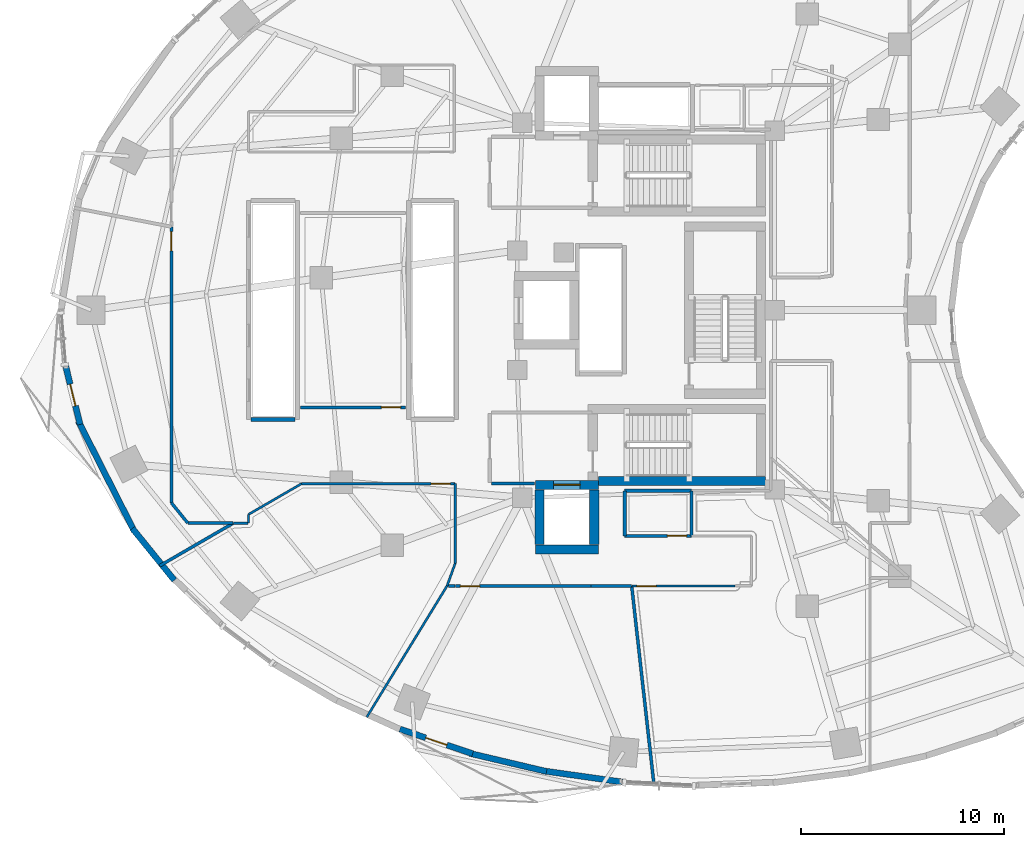
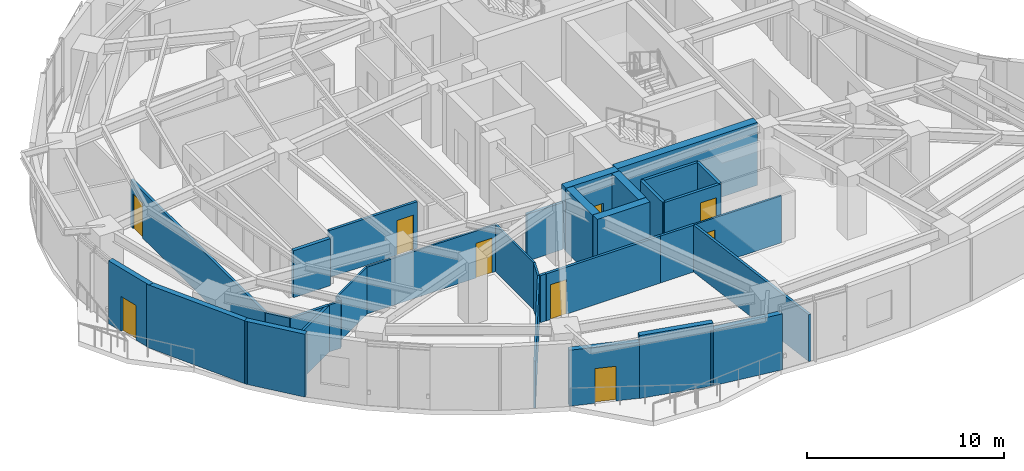
# One storey, part 8 of 15: 34 walls, 9 doors, 9 openings.
"""IFC4 building model written with IfcOpenShell, lengths in metres."""

from ifc_helpers import new_model, si_unit, direction, frame, frame_2d, origin, place, context, subcontext, project, spatial, rectangle, extrude, material, layer, layer_set, type_object, element, fill, save


model = new_model("IFC4")

# Units and contexts
model_context = context("Model", 3, precision=1e-05, world=origin(), true_north=direction((0.0, 1.0)))
body_context = subcontext(model_context, "Body", "Model", "MODEL_VIEW")
ifc_project = project(units=[si_unit("LENGTHUNIT", "METRE"), si_unit("AREAUNIT", "SQUARE_METRE"), si_unit("VOLUMEUNIT", "CUBIC_METRE"), si_unit("PLANEANGLEUNIT", "RADIAN"), si_unit("MASSUNIT", "GRAM", prefix="KILO")], contexts=[model_context])

# Site, building, storey
site_placement = place(None, origin())
site = spatial("IfcSite", under=ifc_project, at=site_placement, CompositionType="ELEMENT")
building_placement = place(site_placement, origin())
building = spatial("IfcBuilding", under=site, at=building_placement, Name="Korentha Bioscience Tower", CompositionType="ELEMENT")
storey_placement = place(building_placement, frame((0.0, 0.0, 72.0)))
storey = spatial("IfcBuildingStorey", under=building, at=storey_placement, Name="L16", CompositionType="ELEMENT", Elevation=72.0)

# Wall, opening, door
ifc_material_1 = material(Name="Double-Stud Acoustic Gypsum", Category="gypsum")
ifc_layer_1 = layer(ifc_material_1, 0.14990234375, Name="Double-Stud Acoustic Gypsum")
ifc_layer_set_1 = layer_set([ifc_layer_1], Name="Double-Stud Acoustic Gypsum (IW-L150)")
wall_type_1 = type_object("IfcWallType", Name="Acoustic Laboratory Partition Wall 150", PredefinedType="PARTITIONING", material=ifc_layer_set_1)
wall_1_placement = place(storey_placement, frame((19.340087890625, 22.2099609375, 0.0), z_axis=(0.0, 0.0, 1.0), x_axis=(-1.0, 0.0, 0.0)))
wall_1 = element("IfcWall", 1, at=wall_1_placement, inside=storey, type_object=wall_type_1, Name="L16 Biomechanical Motion Analysis Lab 01 Entrance Wall", PredefinedType="PARTITIONING", context=body_context, shape_type="SweptSolid", body=[
    extrude(rectangle(XDim=5.18017578125, YDim=0.14990234375, at=frame_2d((2.590087890625, 0.0))), origin(), (0.0, 0.0, 1.0), 2.909912109375),
])
opening_1_placement = place(wall_1_placement, frame((0.239990234375, 0.0, 0.0)))
opening_1 = element("IfcOpeningElement", 2, at=opening_1_placement, cuts=wall_1, Name="Opening ID-10L", PredefinedType="OPENING", context=body_context, shape_type="SweptSolid", body=[
    extrude(rectangle(XDim=0.949951171875, YDim=2.14990234375, at=frame_2d((0.47509765625, 1.074951171875))), frame((0.0, 0.08984375, 0.0), z_axis=(0.0, -1.0, 0.0), x_axis=(1.0, 0.0, 0.0)), (0.0, 0.0, 1.0), 0.1796875),
])
ifc_material_2 = material(Name="Phenolic Laminate Timber Core", Category="wood")
door_type_1 = type_object("IfcDoorType", Name="Laboratory Single Leaf Door 950x2150 Left", OperationType="SINGLE_SWING_LEFT", PredefinedType="DOOR", material=ifc_material_2)
door_1_placement = place(opening_1_placement, origin())
door_1 = element("IfcDoor", 3, at=door_1_placement, inside=storey, type_object=door_type_1, Name="L16 Biomechanical Motion Analysis Lab 01 Door", OperationType="SINGLE_SWING_LEFT", OverallHeight=2.14990234375, OverallWidth=0.949951171875, PredefinedType="DOOR", context=body_context, shape_type="SweptSolid", body=[
    extrude(rectangle(XDim=0.949951171875, YDim=2.14990234375, at=frame_2d((0.47509765625, 1.074951171875))), frame((0.0, 0.02490234375, 0.0), z_axis=(0.0, -1.0, 0.0), x_axis=(1.0, 0.0, 0.0)), (0.0, 0.0, 1.0), 0.050048828125),
])
fill(opening_1, door_1)

wall_2_placement = place(storey_placement, frame((7.7900390625, 31.115478515625, 0.0), z_axis=(0.0, 0.0, 1.0), x_axis=(0.0, -1.0, 0.0)))
wall_2 = element("IfcWall", 4, at=wall_2_placement, inside=storey, type_object=wall_type_1, Name="L16 Principal Investigator Office 02 Entrance Wall", PredefinedType="PARTITIONING", context=body_context, shape_type="SweptSolid", body=[
    extrude(rectangle(XDim=13.61669921875, YDim=0.14990234375, at=frame_2d((6.808349609375, 0.0))), origin(), (0.0, 0.0, 1.0), 2.909912109375),
])
opening_2_placement = place(wall_2_placement, frame((0.239990234375, 0.0, 0.0)))
opening_2 = element("IfcOpeningElement", 5, at=opening_2_placement, cuts=wall_2, Name="Opening ID-10R", PredefinedType="OPENING", context=body_context, shape_type="SweptSolid", body=[
    extrude(rectangle(XDim=0.949951171875, YDim=2.14990234375, at=frame_2d((0.47509765625, 1.074951171875))), frame((0.0, 0.08984375, 0.0), z_axis=(0.0, -1.0, 0.0), x_axis=(1.0, 0.0, 0.0)), (0.0, 0.0, 1.0), 0.1796875),
])
door_type_2 = type_object("IfcDoorType", Name="Laboratory Single Leaf Door 950x2150 Right", OperationType="SINGLE_SWING_RIGHT", PredefinedType="DOOR", material=ifc_material_2)
door_2_placement = place(opening_2_placement, origin())
door_2 = element("IfcDoor", 6, at=door_2_placement, inside=storey, type_object=door_type_2, Name="L16 Principal Investigator Office 02 Door", OperationType="SINGLE_SWING_RIGHT", OverallHeight=2.14990234375, OverallWidth=0.949951171875, PredefinedType="DOOR", context=body_context, shape_type="SweptSolid", body=[
    extrude(rectangle(XDim=0.949951171875, YDim=2.14990234375, at=frame_2d((0.47509765625, 1.074951171875))), frame((0.0, 0.02490234375, 0.0), z_axis=(0.0, -1.0, 0.0), x_axis=(1.0, 0.0, 0.0)), (0.0, 0.0, 1.0), 0.050048828125),
])
fill(opening_2, door_2)

wall_3_placement = place(storey_placement, frame((21.800048828125, 13.389892578125, 0.0), z_axis=(0.0, 0.0, 1.0), x_axis=(1.0, 0.0, 0.0)))
wall_3 = element("IfcWall", 7, at=wall_3_placement, inside=storey, type_object=wall_type_1, Name="L16 Staff Pantry Kitchenette 04 Entrance Wall", PredefinedType="PARTITIONING", context=body_context, shape_type="SweptSolid", body=[
    extrude(rectangle(XDim=6.699951171875, YDim=0.14990234375, at=frame_2d((3.35009765625, 0.0))), origin(), (0.0, 0.0, 1.0), 2.909912109375),
])
opening_3_placement = place(wall_3_placement, frame((0.239990234375, 0.0, 0.0)))
opening_3 = element("IfcOpeningElement", 8, at=opening_3_placement, cuts=wall_3, Name="Opening ID-10R", PredefinedType="OPENING", context=body_context, shape_type="SweptSolid", body=[
    extrude(rectangle(XDim=0.949951171875, YDim=2.14990234375, at=frame_2d((0.47509765625, 1.074951171875))), frame((0.0, 0.08984375, 0.0), z_axis=(0.0, -1.0, 0.0), x_axis=(1.0, 0.0, 0.0)), (0.0, 0.0, 1.0), 0.1796875),
])
door_3_placement = place(opening_3_placement, origin())
door_3 = element("IfcDoor", 9, at=door_3_placement, inside=storey, type_object=door_type_2, Name="L16 Staff Pantry Kitchenette 04 Door", OperationType="SINGLE_SWING_RIGHT", OverallHeight=2.14990234375, OverallWidth=0.949951171875, PredefinedType="DOOR", context=body_context, shape_type="SweptSolid", body=[
    extrude(rectangle(XDim=0.949951171875, YDim=2.14990234375, at=frame_2d((0.47509765625, 1.074951171875))), frame((0.0, 0.02490234375, 0.0), z_axis=(0.0, -1.0, 0.0), x_axis=(1.0, 0.0, 0.0)), (0.0, 0.0, 1.0), 0.050048828125),
])
fill(opening_3, door_3)

# Walls
wall_4_placement = place(storey_placement, frame((7.792236328125, 17.492431640625, 0.0), z_axis=(0.0, 0.0, 1.0), x_axis=(0.629225554682, -0.777222748854, 0.0)))
element("IfcWall", 10, at=wall_4_placement, inside=storey, type_object=wall_type_1, Name="L16 Interior Partition 024", PredefinedType="PARTITIONING", context=body_context, shape_type="SweptSolid", body=[
    extrude(rectangle(XDim=1.28515625, YDim=0.14990234375, at=frame_2d((0.642578125, 0.0))), origin(), (0.0, 0.0, 1.0), 2.909912109375),
])
wall_5_placement = place(storey_placement, frame((8.608642578125, 16.489990234375, 0.0), z_axis=(0.0, 0.0, 1.0), x_axis=(1.0, 0.0, 0.0)))
element("IfcWall", 11, at=wall_5_placement, inside=storey, type_object=wall_type_1, Name="L16 Interior Partition 025", PredefinedType="PARTITIONING", context=body_context, shape_type="SweptSolid", body=[
    extrude(rectangle(XDim=2.230224609375, YDim=0.14990234375, at=frame_2d((1.115234375, 0.0))), origin(), (0.0, 0.0, 1.0), 2.909912109375),
])
wall_6_placement = place(storey_placement, frame((10.8388671875, 16.489990234375, 0.0), z_axis=(0.0, 0.0, 1.0), x_axis=(-0.865171113314, -0.501476763856, 0.0)))
element("IfcWall", 12, at=wall_6_placement, inside=storey, type_object=wall_type_1, Name="L16 Interior Partition 026", PredefinedType="PARTITIONING", context=body_context, shape_type="SweptSolid", body=[
    extrude(rectangle(XDim=4.194091796875, YDim=0.14990234375, at=frame_2d((2.09716796875, 0.0))), origin(), (0.0, 0.0, 1.0), 2.909912109375),
])
wall_7_placement = place(storey_placement, frame((28.5, 13.389892578125, 0.0), z_axis=(0.0, 0.0, 1.0), x_axis=(1.0, 0.0, 0.0)))
element("IfcWall", 13, at=wall_7_placement, inside=storey, type_object=wall_type_1, Name="L16 Interior Partition 034", PredefinedType="PARTITIONING", context=body_context, shape_type="SweptSolid", body=[
    extrude(rectangle(XDim=1.998291015625, YDim=0.14990234375, at=frame_2d((0.9990234375, 0.0))), origin(), (0.0, 0.0, 1.0), 2.909912109375),
])
wall_8_placement = place(storey_placement, frame((30.498291015625, 13.389892578125, 0.0), z_axis=(0.0, 0.0, 1.0), x_axis=(0.11147423436, -0.993767324414, 0.0)))
element("IfcWall", 14, at=wall_8_placement, inside=storey, type_object=wall_type_1, Name="L16 Interior Partition 035", PredefinedType="PARTITIONING", context=body_context, shape_type="SweptSolid", body=[
    extrude(rectangle(XDim=9.9189453125, YDim=0.14990234375, at=frame_2d((4.95947265625, 0.0))), origin(), (0.0, 0.0, 1.0), 2.909912109375),
])
wall_9_placement = place(storey_placement, frame((21.452880859375, 13.39990234375, 0.0), z_axis=(0.0, 0.0, 1.0), x_axis=(1.0, 0.0, 0.0)))
element("IfcWall", 15, at=wall_9_placement, inside=storey, type_object=wall_type_1, Name="L16 Interior Partition 036", PredefinedType="PARTITIONING", context=body_context, shape_type="SweptSolid", body=[
    extrude(rectangle(XDim=0.337158203125, YDim=0.14990234375, at=frame_2d((0.16845703125, 0.0))), origin(), (0.0, 0.0, 1.0), 2.909912109375),
])

# Wall, opening, door
ifc_material_3 = material(Name="Fire-Rated Framed Glass", Category="glass")
ifc_layer_2 = layer(ifc_material_3, 0.110107421875, Name="Fire-Rated Framed Glass")
ifc_layer_set_2 = layer_set([ifc_layer_2], Name="Fire-Rated Framed Glass (IW-G110)")
wall_type_2 = type_object("IfcWallType", Name="Demountable Glazed Office Partition 110", PredefinedType="MOVABLE", material=ifc_layer_set_2)
wall_10_placement = place(storey_placement, frame((14.210693359375, 18.43994140625, 0.0), z_axis=(0.0, 0.0, 1.0), x_axis=(1.0, 0.0, 0.0)))
wall_10 = element("IfcWall", 16, at=wall_10_placement, inside=storey, type_object=wall_type_2, Name="L16 Research Colloquium Seminar Room 03 Entrance Wall", PredefinedType="MOVABLE", context=body_context, shape_type="SweptSolid", body=[
    extrude(rectangle(XDim=7.579345703125, YDim=0.110107421875, at=frame_2d((3.78955078125, 0.0))), origin(), (0.0, 0.0, 1.0), 2.909912109375),
])
opening_4_placement = place(wall_10_placement, frame((6.38916015625, 0.0, 0.0)))
opening_4 = element("IfcOpeningElement", 17, at=opening_4_placement, cuts=wall_10, Name="Opening ID-10L", PredefinedType="OPENING", context=body_context, shape_type="SweptSolid", body=[
    extrude(rectangle(XDim=0.949951171875, YDim=2.14990234375, at=frame_2d((0.47509765625, 1.074951171875))), frame((0.0, 0.06982421875, 0.0), z_axis=(0.0, -1.0, 0.0), x_axis=(1.0, 0.0, 0.0)), (0.0, 0.0, 1.0), 0.139892578125),
])
door_4_placement = place(opening_4_placement, origin())
door_4 = element("IfcDoor", 18, at=door_4_placement, inside=storey, type_object=door_type_1, Name="L16 Research Colloquium Seminar Room 03 Door", OperationType="SINGLE_SWING_LEFT", OverallHeight=2.14990234375, OverallWidth=0.949951171875, PredefinedType="DOOR", context=body_context, shape_type="SweptSolid", body=[
    extrude(rectangle(XDim=0.949951171875, YDim=2.14990234375, at=frame_2d((0.47509765625, 1.074951171875))), frame((0.0, 0.02490234375, 0.0), z_axis=(0.0, -1.0, 0.0), x_axis=(1.0, 0.0, 0.0)), (0.0, 0.0, 1.0), 0.050048828125),
])
fill(opening_4, door_4)

wall_11_placement = place(storey_placement, frame((30.50830078125, 13.389892578125, 0.0), z_axis=(0.0, 0.0, 1.0), x_axis=(1.0, 0.0, 0.0)))
wall_11 = element("IfcWall", 19, at=wall_11_placement, inside=storey, type_object=wall_type_2, Name="L16 Senior Scientist Corner Office 05 Entrance Wall", PredefinedType="MOVABLE", context=body_context, shape_type="SweptSolid", body=[
    extrude(rectangle(XDim=5.091796875, YDim=0.110107421875, at=frame_2d((2.5458984375, 0.0))), origin(), (0.0, 0.0, 1.0), 2.909912109375),
])
opening_5_placement = place(wall_11_placement, frame((0.239990234375, 0.0, 0.0)))
opening_5 = element("IfcOpeningElement", 20, at=opening_5_placement, cuts=wall_11, Name="Opening ID-10L", PredefinedType="OPENING", context=body_context, shape_type="SweptSolid", body=[
    extrude(rectangle(XDim=0.949951171875, YDim=2.14990234375, at=frame_2d((0.47509765625, 1.074951171875))), frame((0.0, 0.06982421875, 0.0), z_axis=(0.0, -1.0, 0.0), x_axis=(1.0, 0.0, 0.0)), (0.0, 0.0, 1.0), 0.139892578125),
])
door_5_placement = place(opening_5_placement, origin())
door_5 = element("IfcDoor", 21, at=door_5_placement, inside=storey, type_object=door_type_1, Name="L16 Senior Scientist Corner Office 05 Door", OperationType="SINGLE_SWING_LEFT", OverallHeight=2.14990234375, OverallWidth=0.949951171875, PredefinedType="DOOR", context=body_context, shape_type="SweptSolid", body=[
    extrude(rectangle(XDim=0.949951171875, YDim=2.14990234375, at=frame_2d((0.47509765625, 1.074951171875))), frame((0.0, 0.02490234375, 0.0), z_axis=(0.0, -1.0, 0.0), x_axis=(1.0, 0.0, 0.0)), (0.0, 0.0, 1.0), 0.050048828125),
])
fill(opening_5, door_5)

# Walls
wall_12_placement = place(storey_placement, frame((21.7900390625, 18.43994140625, 0.0), z_axis=(0.0, 0.0, 1.0), x_axis=(0.0, -1.0, 0.0)))
element("IfcWall", 22, at=wall_12_placement, inside=storey, type_object=wall_type_2, Name="L16 Interior Partition 027", PredefinedType="MOVABLE", context=body_context, shape_type="SweptSolid", body=[
    extrude(rectangle(XDim=3.9287109375, YDim=0.110107421875, at=frame_2d((1.96435546875, 0.0))), origin(), (0.0, 0.0, 1.0), 2.909912109375),
])
wall_13_placement = place(storey_placement, frame((21.7900390625, 14.51123046875, 0.0), z_axis=(0.0, 0.0, 1.0), x_axis=(-0.337672177142, -0.941263778536, 0.0)))
element("IfcWall", 23, at=wall_13_placement, inside=storey, type_object=wall_type_2, Name="L16 Interior Partition 028", PredefinedType="MOVABLE", context=body_context, shape_type="SweptSolid", body=[
    extrude(rectangle(XDim=1.1806640625, YDim=0.110107421875, at=frame_2d((0.59033203125, 0.0))), origin(), (0.0, 0.0, 1.0), 2.909912109375),
])
wall_14_placement = place(storey_placement, frame((21.391357421875, 13.39990234375, 0.0), z_axis=(0.0, 0.0, 1.0), x_axis=(-0.522118984401, -0.852872655282, 0.0)))
element("IfcWall", 24, at=wall_14_placement, inside=storey, type_object=wall_type_2, Name="L16 Interior Partition 029", PredefinedType="MOVABLE", context=body_context, shape_type="SweptSolid", body=[
    extrude(rectangle(XDim=7.585693359375, YDim=0.110107421875, at=frame_2d((3.79296875, 0.0))), origin(), (0.0, 0.0, 1.0), 2.909912109375),
])
wall_15_placement = place(storey_placement, frame((10.848876953125, 16.489990234375, 0.0), z_axis=(0.0, 0.0, 1.0), x_axis=(1.0, 0.0, 0.0)))
element("IfcWall", 25, at=wall_15_placement, inside=storey, type_object=wall_type_2, Name="L16 Interior Partition 030", PredefinedType="MOVABLE", context=body_context, shape_type="SweptSolid", body=[
    extrude(rectangle(XDim=0.731201171875, YDim=0.110107421875, at=frame_2d((0.36572265625, 0.0))), origin(), (0.0, 0.0, 1.0), 2.909912109375),
])
wall_16_placement = place(storey_placement, frame((11.590087890625, 16.5, 0.0), z_axis=(0.0, 0.0, 1.0), x_axis=(0.0, 1.0, 0.0)))
element("IfcWall", 26, at=wall_16_placement, inside=storey, type_object=wall_type_2, Name="L16 Interior Partition 031", PredefinedType="MOVABLE", context=body_context, shape_type="SweptSolid", body=[
    extrude(rectangle(XDim=0.4208984375, YDim=0.110107421875, at=frame_2d((0.21044921875, 0.0))), origin(), (0.0, 0.0, 1.0), 2.909912109375),
])
wall_17_placement = place(storey_placement, frame((11.590087890625, 16.9208984375, 0.0), z_axis=(0.0, 0.0, 1.0), x_axis=(0.865161287927, 0.50149371469, 0.0)))
element("IfcWall", 27, at=wall_17_placement, inside=storey, type_object=wall_type_2, Name="L16 Interior Partition 032", PredefinedType="MOVABLE", context=body_context, shape_type="SweptSolid", body=[
    extrude(rectangle(XDim=3.029052734375, YDim=0.110107421875, at=frame_2d((1.5146484375, 0.0))), origin(), (0.0, 0.0, 1.0), 2.909912109375),
])
ifc_material_4 = material(Name="Gypsum-Clad Steel Stud", Category="steel")
ifc_layer_3 = layer(ifc_material_4, 0.159912109375, Name="Gypsum-Clad Steel Stud")
ifc_layer_set_3 = layer_set([ifc_layer_3], Name="Gypsum-Clad Steel Stud (IW-C160)")
wall_type_3 = type_object("IfcWallType", Name="Fire-Rated Corridor Partition Wall 160", PredefinedType="PARTITIONING", material=ifc_layer_set_3)
wall_18_placement = place(storey_placement, frame((23.580078125, 18.449951171875, 0.0), z_axis=(0.0, 0.0, 1.0), x_axis=(1.0, 0.0, 0.0)))
element("IfcWall", 28, at=wall_18_placement, inside=storey, type_object=wall_type_3, Name="L16 Firefighting Lobby Return Wall FFLS-S", PredefinedType="PARTITIONING", context=body_context, shape_type="SweptSolid", body=[
    extrude(rectangle(XDim=2.119873046875, YDim=0.159912109375, at=frame_2d((1.06005859375, 0.0))), origin(), (0.0, 0.0, 1.0), 2.909912109375),
])

# Wall, opening, door
wall_19_placement = place(storey_placement, frame((33.449951171875, 15.860107421875, 0.0), z_axis=(0.0, 0.0, 1.0), x_axis=(-1.0, 0.0, 0.0)))
wall_19 = element("IfcWall", 29, at=wall_19_placement, inside=storey, type_object=wall_type_3, Name="L16 Core Instrumentation and Gas Store Entrance Wall", PredefinedType="PARTITIONING", context=body_context, shape_type="SweptSolid", body=[
    extrude(rectangle(XDim=3.300048828125, YDim=0.159912109375, at=frame_2d((1.64990234375, 0.0))), origin(), (0.0, 0.0, 1.0), 2.909912109375),
])
opening_6_placement = place(wall_19_placement, frame((0.239990234375, 0.0, 0.0)))
opening_6 = element("IfcOpeningElement", 30, at=opening_6_placement, cuts=wall_19, Name="Opening ID-10L", PredefinedType="OPENING", context=body_context, shape_type="SweptSolid", body=[
    extrude(rectangle(XDim=0.949951171875, YDim=2.14990234375, at=frame_2d((0.47509765625, 1.074951171875))), frame((0.0, 0.0947265625, 0.0), z_axis=(0.0, -1.0, 0.0), x_axis=(1.0, 0.0, 0.0)), (0.0, 0.0, 1.0), 0.189697265625),
])
door_6_placement = place(opening_6_placement, origin())
door_6 = element("IfcDoor", 31, at=door_6_placement, inside=storey, type_object=door_type_1, Name="L16 Core Instrumentation and Gas Store Door", OperationType="SINGLE_SWING_LEFT", OverallHeight=2.14990234375, OverallWidth=0.949951171875, PredefinedType="DOOR", context=body_context, shape_type="SweptSolid", body=[
    extrude(rectangle(XDim=0.949951171875, YDim=2.14990234375, at=frame_2d((0.47509765625, 1.074951171875))), frame((0.0, 0.02490234375, 0.0), z_axis=(0.0, -1.0, 0.0), x_axis=(1.0, 0.0, 0.0)), (0.0, 0.0, 1.0), 0.050048828125),
])
fill(opening_6, door_6)

# Walls
wall_20_placement = place(storey_placement, frame((30.14990234375, 15.860107421875, 0.0), z_axis=(0.0, 0.0, 1.0), x_axis=(0.0, 1.0, 0.0)))
element("IfcWall", 32, at=wall_20_placement, inside=storey, type_object=wall_type_3, Name="L16 Interior Partition 017", PredefinedType="PARTITIONING", context=body_context, shape_type="SweptSolid", body=[
    extrude(rectangle(XDim=2.22998046875, YDim=0.159912109375, at=frame_2d((1.114990234375, 0.0))), origin(), (0.0, 0.0, 1.0), 2.909912109375),
])
wall_21_placement = place(storey_placement, frame((30.14990234375, 18.090087890625, 0.0), z_axis=(0.0, 0.0, 1.0), x_axis=(1.0, 0.0, 0.0)))
element("IfcWall", 33, at=wall_21_placement, inside=storey, type_object=wall_type_3, Name="L16 Interior Partition 018", PredefinedType="PARTITIONING", context=body_context, shape_type="SweptSolid", body=[
    extrude(rectangle(XDim=3.300048828125, YDim=0.159912109375, at=frame_2d((1.64990234375, 0.0))), origin(), (0.0, 0.0, 1.0), 2.909912109375),
])
wall_22_placement = place(storey_placement, frame((33.449951171875, 18.090087890625, 0.0), z_axis=(0.0, 0.0, 1.0), x_axis=(0.0, -1.0, 0.0)))
element("IfcWall", 34, at=wall_22_placement, inside=storey, type_object=wall_type_3, Name="L16 Interior Partition 019", PredefinedType="PARTITIONING", context=body_context, shape_type="SweptSolid", body=[
    extrude(rectangle(XDim=2.22998046875, YDim=0.159912109375, at=frame_2d((1.114990234375, 0.0))), origin(), (0.0, 0.0, 1.0), 2.909912109375),
])

# Wall, opening, door
ifc_material_5 = material(Name="Honed Limestone Precast Concrete C40", Category="masonry")
ifc_layer_4 = layer(ifc_material_5, 0.300048828125, Name="Honed Limestone Precast Concrete C40")
ifc_layer_set_4 = layer_set([ifc_layer_4], Name="Honed Limestone Precast Concrete C40 (EW-ST300)")
wall_type_4 = type_object("IfcWallType", Name="Honed Limestone Cavity Spandrel Wall 300", PredefinedType="STANDARD", material=ifc_layer_set_4)
wall_23_placement = place(storey_placement, frame((2.57080078125, 24.265869140625, 0.0), z_axis=(0.0, 0.0, 1.0), x_axis=(0.238522035896, -0.971137085273, 0.0)))
wall_23 = element("IfcWall", 35, at=wall_23_placement, inside=storey, type_object=wall_type_4, Name="L16 Balcony Threshold Wall 02", PredefinedType="STANDARD", context=body_context, shape_type="SweptSolid", body=[
    extrude(rectangle(XDim=2.992919921875, YDim=0.300048828125, at=frame_2d((1.49658203125, 0.0))), origin(), (0.0, 0.0, 1.0), 3.89990234375),
])
opening_7_placement = place(wall_23_placement, frame((0.9462890625, 0.0, 0.0)))
opening_7 = element("IfcOpeningElement", 36, at=opening_7_placement, cuts=wall_23, Name="Opening BD-11R", PredefinedType="OPENING", context=body_context, shape_type="SweptSolid", body=[
    extrude(rectangle(XDim=1.10009765625, YDim=2.14990234375, at=frame_2d((0.550048828125, 1.074951171875))), frame((0.0, 0.1650390625, 0.0), z_axis=(0.0, -1.0, 0.0), x_axis=(1.0, 0.0, 0.0)), (0.0, 0.0, 1.0), 0.329833984375),
])
ifc_material_6 = material(Name="Thermally Broken Glazed Aluminium", Category="aluminium")
door_type_3 = type_object("IfcDoorType", Name="Balcony Terrace Glazed Door 1100x2150 Right", OperationType="SINGLE_SWING_RIGHT", PredefinedType="DOOR", material=ifc_material_6)
door_7_placement = place(opening_7_placement, origin())
door_7 = element("IfcDoor", 37, at=door_7_placement, inside=storey, type_object=door_type_3, Name="L16 Balcony Access Door 02", OperationType="SINGLE_SWING_RIGHT", OverallHeight=2.14990234375, OverallWidth=1.10009765625, PredefinedType="DOOR", context=body_context, shape_type="SweptSolid", body=[
    extrude(rectangle(XDim=1.10009765625, YDim=2.14990234375, at=frame_2d((0.550048828125, 1.074951171875))), frame((0.0, 0.02490234375, 0.0), z_axis=(0.0, -1.0, 0.0), x_axis=(1.0, 0.0, 0.0)), (0.0, 0.0, 1.0), 0.050048828125),
])
fill(opening_7, door_7)

wall_24_placement = place(storey_placement, frame((19.0654296875, 6.333251953125, 0.0), z_axis=(0.0, 0.0, 1.0), x_axis=(0.947034337234, -0.321132315564, 0.0)))
wall_24 = element("IfcWall", 38, at=wall_24_placement, inside=storey, type_object=wall_type_4, Name="L16 Balcony Threshold Wall 03", PredefinedType="STANDARD", context=body_context, shape_type="SweptSolid", body=[
    extrude(rectangle(XDim=3.789794921875, YDim=0.300048828125, at=frame_2d((1.89501953125, 0.0))), origin(), (0.0, 0.0, 1.0), 3.469970703125),
])
opening_8_placement = place(wall_24_placement, frame((1.344970703125, 0.0, 0.0)))
opening_8 = element("IfcOpeningElement", 39, at=opening_8_placement, cuts=wall_24, Name="Opening BD-11L", PredefinedType="OPENING", context=body_context, shape_type="SweptSolid", body=[
    extrude(rectangle(XDim=1.10009765625, YDim=2.14990234375, at=frame_2d((0.550048828125, 1.074951171875))), frame((0.0, 0.1650390625, 0.0), z_axis=(0.0, -1.0, 0.0), x_axis=(1.0, 0.0, 0.0)), (0.0, 0.0, 1.0), 0.329833984375),
])
door_type_4 = type_object("IfcDoorType", Name="Balcony Terrace Glazed Door 1100x2150 Left", OperationType="SINGLE_SWING_LEFT", PredefinedType="DOOR", material=ifc_material_6)
door_8_placement = place(opening_8_placement, origin())
door_8 = element("IfcDoor", 40, at=door_8_placement, inside=storey, type_object=door_type_4, Name="L16 Balcony Access Door 03", OperationType="SINGLE_SWING_LEFT", OverallHeight=2.14990234375, OverallWidth=1.10009765625, PredefinedType="DOOR", context=body_context, shape_type="SweptSolid", body=[
    extrude(rectangle(XDim=1.10009765625, YDim=2.14990234375, at=frame_2d((0.550048828125, 1.074951171875))), frame((0.0, 0.02490234375, 0.0), z_axis=(0.0, -1.0, 0.0), x_axis=(1.0, 0.0, 0.0)), (0.0, 0.0, 1.0), 0.050048828125),
])
fill(opening_8, door_8)

# Walls
wall_25_placement = place(storey_placement, frame((3.20361328125, 21.514404296875, 0.0), z_axis=(0.0, 0.0, 1.0), x_axis=(0.453093111502, -0.891463197395, 0.0)))
element("IfcWall", 41, at=wall_25_placement, inside=storey, type_object=wall_type_4, Name="L16 Limestone Perimeter Closure Wall 21", PredefinedType="STANDARD", context=body_context, shape_type="SweptSolid", body=[
    extrude(rectangle(XDim=6.102294921875, YDim=0.300048828125, at=frame_2d((3.05126953125, 0.0))), origin(), (0.0, 0.0, 1.0), 3.89990234375),
])
wall_26_placement = place(storey_placement, frame((5.86572265625, 16.232666015625, 0.0), z_axis=(0.0, 0.0, 1.0), x_axis=(0.629221727718, -0.777225847079, 0.0)))
element("IfcWall", 42, at=wall_26_placement, inside=storey, type_object=wall_type_4, Name="L16 Limestone Perimeter Closure Wall 23", PredefinedType="STANDARD", context=body_context, shape_type="SweptSolid", body=[
    extrude(rectangle(XDim=3.28759765625, YDim=0.300048828125, at=frame_2d((1.643798828125, 0.0))), origin(), (0.0, 0.0, 1.0), 3.89990234375),
])
wall_27_placement = place(storey_placement, frame((22.50048828125, 5.138427734375, 0.0), z_axis=(0.0, 0.0, 1.0), x_axis=(0.973197600754, -0.229970497863, 0.0)))
element("IfcWall", 43, at=wall_27_placement, inside=storey, type_object=wall_type_4, Name="L16 Limestone Perimeter Closure Wall 29", PredefinedType="STANDARD", context=body_context, shape_type="SweptSolid", body=[
    extrude(rectangle(XDim=3.9013671875, YDim=0.300048828125, at=frame_2d((1.95068359375, 0.0))), origin(), (0.0, 0.0, 1.0), 3.89990234375),
])
wall_28_placement = place(storey_placement, frame((26.127685546875, 4.273193359375, 0.0), z_axis=(0.0, 0.0, 1.0), x_axis=(0.990165832998, -0.139898617443, 0.0)))
element("IfcWall", 44, at=wall_28_placement, inside=storey, type_object=wall_type_4, Name="L16 Limestone Perimeter Closure Wall 30", PredefinedType="STANDARD", context=body_context, shape_type="SweptSolid", body=[
    extrude(rectangle(XDim=3.950927734375, YDim=0.300048828125, at=frame_2d((1.9755859375, 0.0))), origin(), (0.0, 0.0, 1.0), 3.469970703125),
])
ifc_material_7 = material(Name="Autoclaved Aerated Concrete Block C25", Category="concrete")
ifc_layer_5 = layer(ifc_material_7, 0.199951171875, Name="Autoclaved Aerated Concrete Block C25")
ifc_layer_set_5 = layer_set([ifc_layer_5], Name="Autoclaved Aerated Concrete Block C25 (IW-S200)")
wall_type_5 = type_object("IfcWallType", Name="Lift and Riser Shaft Enclosure Wall 200", PredefinedType="PARTITIONING", material=ifc_layer_set_5)
wall_29_placement = place(storey_placement, frame((11.719970703125, 21.60009765625, 0.0), z_axis=(0.0, 0.0, 1.0), x_axis=(1.0, 0.0, 0.0)))
element("IfcWall", 45, at=wall_29_placement, inside=storey, type_object=wall_type_5, Name="L16 Lift Bank LOW Shaft Wall -Y", PredefinedType="PARTITIONING", context=body_context, shape_type="SweptSolid", body=[
    extrude(rectangle(XDim=2.159912109375, YDim=0.199951171875, at=frame_2d((1.080078125, 0.0))), origin(), (0.0, 0.0, 1.0), 2.909912109375),
])
ifc_material_8 = material(Name="Concrete C80", Category="concrete")
ifc_layer_6 = layer(ifc_material_8, 0.449951171875, Name="Concrete C80")
ifc_layer_set_6 = layer_set([ifc_layer_6], Name="Concrete C80 (CW-C80)")
wall_type_6 = type_object("IfcWallType", Name="Lower Core Shear Wall 450", PredefinedType="SHEAR", material=ifc_layer_set_6)
wall_30_placement = place(storey_placement, frame((28.85205078125, 18.574951171875, 0.0), z_axis=(0.0, 0.0, 1.0), x_axis=(1.0, 0.0, 0.0)))
element("IfcWall", 46, at=wall_30_placement, inside=storey, type_object=wall_type_6, Name="L16 Core Shear Wall ST2-S", PredefinedType="SHEAR", context=body_context, shape_type="SweptSolid", body=[
    extrude(rectangle(XDim=8.248046875, YDim=0.449951171875, at=frame_2d((4.1240234375, 0.0))), origin(), (0.0, 0.0, 1.0), 3.89990234375),
])
wall_31_placement = place(storey_placement, frame((25.75, 15.199951171875, 0.0), z_axis=(0.0, 0.0, 1.0), x_axis=(1.0, 0.0, 0.0)))
element("IfcWall", 47, at=wall_31_placement, inside=storey, type_object=wall_type_6, Name="L16 Core Shear Wall FFL1-S", PredefinedType="SHEAR", context=body_context, shape_type="SweptSolid", body=[
    extrude(rectangle(XDim=3.10009765625, YDim=0.449951171875, at=frame_2d((1.550048828125, 0.0))), origin(), (0.0, 0.0, 1.0), 3.89990234375),
])

# Wall, opening, door
wall_32_placement = place(storey_placement, frame((25.75, 18.3798828125, 0.0), z_axis=(0.0, 0.0, 1.0), x_axis=(1.0, 0.0, 0.0)))
wall_32 = element("IfcWall", 48, at=wall_32_placement, inside=storey, type_object=wall_type_6, Name="L16 Core Shear Wall FFL1-N", PredefinedType="SHEAR", context=body_context, shape_type="SweptSolid", body=[
    extrude(rectangle(XDim=3.10009765625, YDim=0.449951171875, at=frame_2d((1.550048828125, 0.0))), origin(), (0.0, 0.0, 1.0), 3.89990234375),
])
opening_9_placement = place(wall_32_placement, frame((0.89990234375, 0.0, 0.0)))
opening_9 = element("IfcOpeningElement", 49, at=opening_9_placement, cuts=wall_32, Name="Opening LD-13", PredefinedType="OPENING", context=body_context, shape_type="SweptSolid", body=[
    extrude(rectangle(XDim=1.300048828125, YDim=2.199951171875, at=frame_2d((0.64990234375, 1.10009765625))), frame((0.0, 0.23974609375, 0.0), z_axis=(0.0, -1.0, 0.0), x_axis=(1.0, 0.0, 0.0)), (0.0, 0.0, 1.0), 0.479736328125),
])
ifc_material_9 = material(Name="Brushed Stainless Steel 316", Category="steel")
door_type_5 = type_object("IfcDoorType", Name="Service & Firefighting Lift Landing Door 1300x2300", OperationType="DOUBLE_DOOR_SLIDING", PredefinedType="DOOR", material=ifc_material_9)
door_9_placement = place(opening_9_placement, origin())
door_9 = element("IfcDoor", 50, at=door_9_placement, inside=storey, type_object=door_type_5, Name="L16 FFL-1 Sliding Lift Landing Door", OperationType="DOUBLE_DOOR_SLIDING", OverallHeight=2.199951171875, OverallWidth=1.300048828125, PredefinedType="DOOR", context=body_context, shape_type="SweptSolid", body=[
    extrude(rectangle(XDim=1.300048828125, YDim=2.199951171875, at=frame_2d((0.64990234375, 1.10009765625))), frame((0.0, 0.02490234375, 0.0), z_axis=(0.0, -1.0, 0.0), x_axis=(1.0, 0.0, 0.0)), (0.0, 0.0, 1.0), 0.050048828125),
])
fill(opening_9, door_9)

# Walls
for number, where, z_axis, x_axis, name in (
    (51, (25.949951171875, 15.43994140625, 0.0), (0.0, 0.0, 1.0), (0.0, 1.0, 0.0), "L16 Core Shear Wall FFL1-W"),
    (52, (28.64990234375, 15.43994140625, 0.0), (0.0, 0.0, 1.0), (0.0, 1.0, 0.0), "L16 Core Shear Wall FFL1-E"),
):
    element("IfcWall", number, at=place(storey_placement, frame(where, z_axis=z_axis, x_axis=x_axis)), inside=storey, type_object=wall_type_6, Name=name, PredefinedType="SHEAR", context=body_context, shape_type="SweptSolid", body=[
        extrude(rectangle(XDim=2.699951171875, YDim=0.449951171875, at=frame_2d((1.35009765625, 0.0))), origin(), (0.0, 0.0, 1.0), 3.89990234375),
    ])

save(model, "model.ifc")
